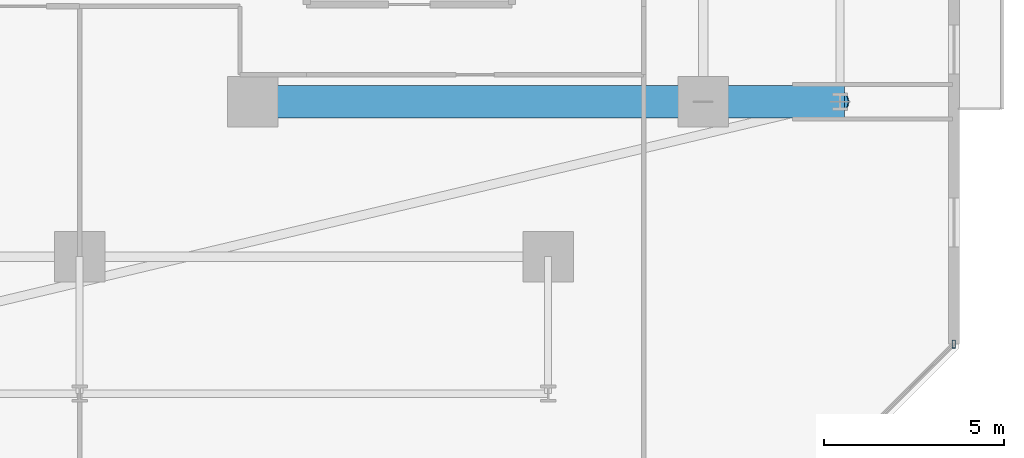
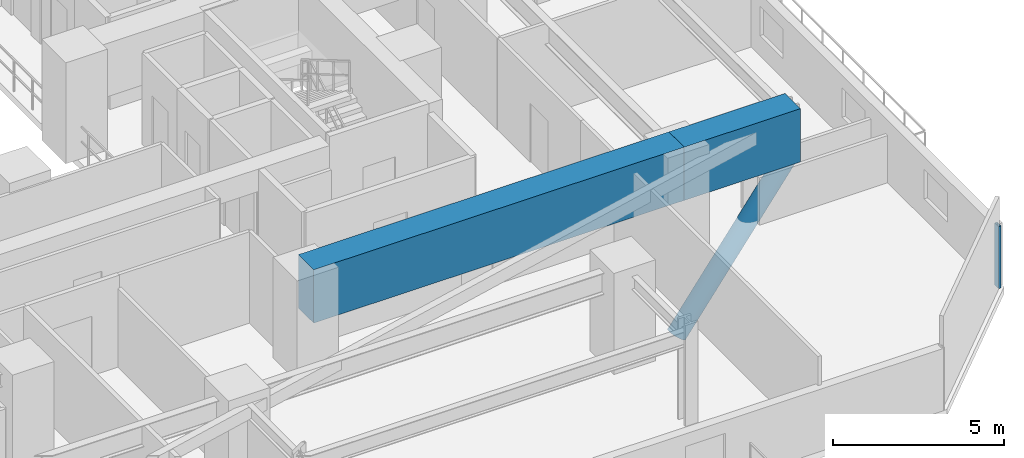
# One storey, part 13 of 36: 2 beams, 2 members, 1 element without a shape of its own.
"""IFC4 building model written with IfcOpenShell, lengths in metres."""

import ifcopenshell
import ifcopenshell.guid

model = None  # the IFC model being written
_history = None  # IfcOwnerHistory: only IFC2X3 demands one
_inside = {}  # id of a spatial element -> (the spatial element, [elements in it])
_under = {}  # id of a project, library or spatial element -> (it, [spatial elements below it])
_declared = {}  # id of a project -> (the project, [libraries it declares])
_typed = {}  # id of a type object -> (the type object, [elements of that type])
_made_of = {}  # id of a material, layer set ... -> (it, [elements and type objects made of it])


def new_model(schema):
    """Start an empty IFC model of exactly this schema.

    Asked for "IFC4X3", IfcOpenShell would pick the latest addendum, in which some entities
    have other attributes; the version numbers below select the first issue.
    IFC2X3 requires an IfcOwnerHistory on every rooted entity: one is made here for all.
    """
    global model, _history
    if schema == "IFC4X3":
        model = ifcopenshell.file(schema_version=(4, 3, 0, 0))
    else:
        model = ifcopenshell.file(schema=schema)
    _inside.clear()
    _under.clear()
    _declared.clear()
    _typed.clear()
    _made_of.clear()
    _history = None
    if model.schema == "IFC2X3":
        org = make("IfcOrganization", Name="unknown")
        user = make(
            "IfcPersonAndOrganization",
            ThePerson=make("IfcPerson", FamilyName="unknown"),
            TheOrganization=org,
        )
        app = make(
            "IfcApplication",
            ApplicationDeveloper=org,
            Version="unknown",
            ApplicationFullName="unknown",
            ApplicationIdentifier="unknown",
        )
        _history = make(
            "IfcOwnerHistory",
            OwningUser=user,
            OwningApplication=app,
            ChangeAction="ADDED",
            CreationDate=0,
        )
    return model


def make(cls, **values):
    """One entity of the class cls with the attributes given. An attribute that is None is left unset."""
    return model.create_entity(
        cls, **{name: value for name, value in values.items() if value is not None}
    )


def rooted(cls, **values):
    """An entity with a GlobalId (a new one), such as an element, a storey or a relation."""
    return make(cls, GlobalId=ifcopenshell.guid.new(), OwnerHistory=_history, **values)


def si_unit(unit_type, name, prefix=None):
    """IfcSIUnit, for example si_unit("LENGTHUNIT", "METRE", prefix="MILLI")."""
    return make("IfcSIUnit", UnitType=unit_type, Prefix=prefix, Name=name)


def assignment(units):
    """IfcUnitAssignment: the units of a project."""
    return None if units is None else make("IfcUnitAssignment", Units=units)


def point(xyz):
    """IfcCartesianPoint."""
    return None if xyz is None else make("IfcCartesianPoint", Coordinates=xyz)


def direction(xyz):
    """IfcDirection."""
    return None if xyz is None else make("IfcDirection", DirectionRatios=xyz)


def frame(location, z_axis=None, x_axis=None):
    """IfcAxis2Placement3D, a coordinate frame: its origin and axes. An axis left out is left unset."""
    return make(
        "IfcAxis2Placement3D",
        Location=point(location),
        Axis=direction(z_axis),
        RefDirection=direction(x_axis),
    )


def frame_2d(location, x_axis=None):
    """IfcAxis2Placement2D, a coordinate frame in the plane: its origin and x axis."""
    return make(
        "IfcAxis2Placement2D", Location=point(location), RefDirection=direction(x_axis)
    )


def origin():
    """The frame at (0, 0, 0) with its axes left unset."""
    return frame((0.0, 0.0, 0.0))


def origin_2d():
    """The frame at (0, 0) in the plane with its x axis left unset."""
    return frame_2d((0.0, 0.0))


def place(relative_to, where):
    """IfcLocalPlacement: puts the frame where relative to a parent placement (None: the world)."""
    return make(
        "IfcLocalPlacement", PlacementRelTo=relative_to, RelativePlacement=where
    )


def context(
    kind, dimensions, precision=None, world=None, true_north=None, identifier=None
):
    """IfcGeometricRepresentationContext, for example the 3D "Model" context."""
    return make(
        "IfcGeometricRepresentationContext",
        ContextIdentifier=identifier,
        ContextType=kind,
        CoordinateSpaceDimension=dimensions,
        Precision=precision,
        WorldCoordinateSystem=world,
        TrueNorth=true_north,
    )


def subcontext(parent, identifier, kind, view, scale=None):
    """IfcGeometricRepresentationSubContext, for example "Body" below "Model"."""
    return make(
        "IfcGeometricRepresentationSubContext",
        ContextIdentifier=identifier,
        ContextType=kind,
        ParentContext=parent,
        TargetScale=scale,
        TargetView=view,
    )


def project(units=None, contexts=None):
    """IfcProject with its units and contexts."""
    return rooted(
        "IfcProject",
        Name="project",
        RepresentationContexts=contexts,
        UnitsInContext=assignment(units),
    )


def spatial(cls, under=None, at=None, **own):
    """A site, building, storey or space (cls), placed at a placement, below another one or the project."""
    s = rooted(cls, ObjectPlacement=at, **own)
    if under is not None:
        _under.setdefault(under.id(), (under, []))[1].append(s)
    return s


def profile(cls, at=None, kind="AREA", **sizes):
    """A parametric profile (cls). Its sizes go by their IFC names, for example OverallWidth=200.0."""
    return make(cls, ProfileType=kind, Position=at, **sizes)


def rectangle(**sizes):
    """IfcRectangleProfileDef."""
    return profile("IfcRectangleProfileDef", **sizes)


def hollow_rectangle(**sizes):
    """IfcRectangleHollowProfileDef."""
    return profile("IfcRectangleHollowProfileDef", **sizes)


def hollow_circle(**sizes):
    """IfcCircleHollowProfileDef."""
    return profile("IfcCircleHollowProfileDef", **sizes)


def extrude(swept, where, along, depth):
    """IfcExtrudedAreaSolid: the profile swept, set in the frame where, extruded along a direction by depth."""
    return make(
        "IfcExtrudedAreaSolid",
        SweptArea=swept,
        Position=where,
        ExtrudedDirection=direction(along),
        Depth=depth,
    )


def shape(context_of_items, identifier, shape_type, items):
    """IfcShapeRepresentation: the items that make up one representation, for example the "Body"."""
    return make(
        "IfcShapeRepresentation",
        ContextOfItems=context_of_items,
        RepresentationIdentifier=identifier,
        RepresentationType=shape_type,
        Items=items,
    )


def material(Name=None, Category=None):
    """IfcMaterial."""
    return make("IfcMaterial", Name=Name, Category=Category)


def material_profile(
    of_material, cross_section, Name=None, Category=None, Priority=None
):
    """IfcMaterialProfile: a cross section and its material."""
    return make(
        "IfcMaterialProfile",
        Name=Name,
        Material=of_material,
        Profile=cross_section,
        Priority=Priority,
        Category=Category,
    )


def profile_set(profiles, Name=None, composite=None):
    """IfcMaterialProfileSet."""
    return make(
        "IfcMaterialProfileSet",
        Name=Name,
        MaterialProfiles=profiles,
        CompositeProfile=composite,
    )


def made_of(thing, what):
    """Note that an element or type object is made of a material, layer set ...; save() writes the relation."""
    if what is not None:
        _made_of.setdefault(what.id(), (what, []))[1].append(thing)
    return thing


def type_object(cls, material=None, **own):
    """A type object (cls), such as IfcWallType, which elements share."""
    return made_of(rooted(cls, **own), material)


def element(
    cls,
    number,
    at=None,
    inside=None,
    cuts=None,
    type_object=None,
    material=None,
    context=None,
    identifier="Body",
    shape_type=None,
    held_by="IfcProductDefinitionShape",
    body=None,
    shapes=None,
    **own,
):
    """One element of the class cls, such as IfcWall. Its Tag is "e" and its number.

    at: its placement. inside: the storey or other place that contains it. cuts: it is an
    opening in that element (IfcRelVoidsElement). A single representation is given by context,
    identifier, shape_type and body (its items); several are given by shapes. held_by: the class
    of the entity that holds the representations. save() writes the other relations.
    """
    e = rooted(cls, Tag="e%d" % number, ObjectPlacement=at, **own)
    if body is not None:
        shapes = [shape(context, identifier, shape_type, body)]
    if shapes is not None:
        e.Representation = make(held_by, Representations=shapes)
    if inside is not None:
        _inside.setdefault(inside.id(), (inside, []))[1].append(e)
    if cuts is not None:
        rooted(
            "IfcRelVoidsElement", RelatingBuildingElement=cuts, RelatedOpeningElement=e
        )
    if type_object is not None:
        _typed.setdefault(type_object.id(), (type_object, []))[1].append(e)
    return made_of(e, material)


def aggregate(whole, parts):
    """IfcRelAggregates: a whole, such as a stair, and the parts it consists of."""
    return rooted("IfcRelAggregates", RelatingObject=whole, RelatedObjects=parts)


def save(model, path):
    """Write the relations noted so far, then the file.

    IfcRelAggregates (storeys below a building ...), IfcRelContainedInSpatialStructure (elements
    in a storey), IfcRelDefinesByType, IfcRelAssociatesMaterial and IfcRelDeclares: one each for
    every whole, place, type object, material and project.
    """
    for whole, parts in _under.values():
        aggregate(whole, parts)
    for where, things in _inside.values():
        rooted(
            "IfcRelContainedInSpatialStructure",
            RelatedElements=things,
            RelatingStructure=where,
        )
    for kind, things in _typed.values():
        rooted("IfcRelDefinesByType", RelatedObjects=things, RelatingType=kind)
    for what, things in _made_of.values():
        rooted("IfcRelAssociatesMaterial", RelatedObjects=things, RelatingMaterial=what)
    for by, libraries in _declared.values():
        rooted("IfcRelDeclares", RelatingContext=by, RelatedDefinitions=libraries)
    model.write(path)


model = new_model("IFC4")

# Units and contexts
model_context = context("Model", 3, precision=1e-05, world=origin(), true_north=direction((0.0, 1.0)))
body_context = subcontext(model_context, "Body", "Model", "MODEL_VIEW")
ifc_project = project(units=[si_unit("LENGTHUNIT", "METRE"), si_unit("AREAUNIT", "SQUARE_METRE"), si_unit("VOLUMEUNIT", "CUBIC_METRE"), si_unit("PLANEANGLEUNIT", "RADIAN"), si_unit("MASSUNIT", "GRAM", prefix="KILO")], contexts=[model_context])

# Site, building, storey
site_placement = place(None, origin())
site = spatial("IfcSite", under=ifc_project, at=site_placement, CompositionType="ELEMENT")
building_placement = place(site_placement, origin())
building = spatial("IfcBuilding", under=site, at=building_placement, Name="Thornwick Lancets Civic Towers", CompositionType="ELEMENT")
storey_placement = place(building_placement, frame((0.0, 0.0, 45.89990234375)))
storey = spatial("IfcBuildingStorey", under=building, at=storey_placement, Name="L11", CompositionType="ELEMENT", Elevation=45.89990234375)

# Beams
ifc_material_1 = material(Name="Concrete C60/75", Category="concrete")
ifc_material_profile_1 = material_profile(ifc_material_1, rectangle(XDim=0.89990234375, YDim=1.89990234375, at=origin_2d()), Name="RC 900x1900")
ifc_profile_set_1 = profile_set([ifc_material_profile_1], Name="Concrete C60/75")
beam_type = type_object("IfcBeamType", Name="BM_TR_RC1900", PredefinedType="BEAM", material=ifc_profile_set_1)
beam_1_placement = place(storey_placement, frame((93.300048828125, 14.0, 2.650146484375), z_axis=(1.0, 0.0, 0.0), x_axis=(0.0, 1.0, 0.0)))
element("IfcBeam", 1, at=beam_1_placement, inside=storey, type_object=beam_type, Name="TG-BACK-L12-B01", PredefinedType="BEAM", context=body_context, shape_type="SweptSolid", body=[
    extrude(rectangle(XDim=0.89990234375, YDim=1.89990234375, at=origin_2d()), origin(), (0.0, 0.0, 1.0), 12.5),
])
beam_2_placement = place(storey_placement, frame((105.800048828125, 14.0, 2.650146484375), z_axis=(1.0, 0.0, 0.0), x_axis=(0.0, 1.0, 0.0)))
element("IfcBeam", 2, at=beam_2_placement, inside=storey, type_object=beam_type, Name="TG-CANT-L12-B01", PredefinedType="BEAM", context=body_context, shape_type="SweptSolid", body=[
    extrude(rectangle(XDim=0.89990234375, YDim=1.89990234375, at=origin_2d()), origin(), (0.0, 0.0, 1.0), 3.919921875),
])

# Curtain wall, member
ifc_material_2 = material(Name="Low-zone chamfered-corner unitised glass curtain wall", Category="glass")
curtain_wall_type = type_object("IfcCurtainWallType", Name="CW_SYS_03", PredefinedType="NOTDEFINED", material=ifc_material_2)
curtain_wall_placement = place(storey_placement, origin())
curtain_wall = element("IfcCurtainWall", 3, at=curtain_wall_placement, inside=storey, type_object=curtain_wall_type, Name="L11 Curtain Wall CW-L11-B-E1", PredefinedType="NOTDEFINED")
ifc_material_3 = material(Name="Thermally broken bronze aluminium S355", Category="steel")
ifc_material_profile_2 = material_profile(ifc_material_3, hollow_rectangle(XDim=0.090087890625, YDim=0.219970703125, WallThickness=0.00634765625, at=origin_2d()), Name="RHS 220x90x6.3")
ifc_profile_set_2 = profile_set([ifc_material_profile_2], Name="Thermally broken bronze aluminium S355")
member_type_1 = type_object("IfcMemberType", Name="CW_MUL_220", PredefinedType="MULLION", material=ifc_profile_set_2)
member_1_placement = place(storey_placement, frame((112.758544921875, 7.275390625, 0.0), z_axis=(0.0, 0.0, 1.0), x_axis=(1.0, 0.0, 0.0)))
member_1 = element("IfcMember", 4, at=member_1_placement, type_object=member_type_1, Name="CW-L11-B-E1 Mullion 1", PredefinedType="MULLION", context=body_context, shape_type="SweptSolid", body=[
    extrude(hollow_rectangle(XDim=0.090087890625, YDim=0.219970703125, WallThickness=0.00634765625, at=origin_2d()), origin(), (0.0, 0.0, 1.0), 2.22021484375),
])
aggregate(curtain_wall, [member_1])

# Member
ifc_material_4 = material(Name="Steel S460M", Category="steel")
ifc_material_profile_3 = material_profile(ifc_material_4, hollow_circle(Radius=0.304931640625, WallThickness=0.030029296875, at=origin_2d()), Name="CHS 610x30")
ifc_profile_set_3 = profile_set([ifc_material_profile_3], Name="Steel S460M")
member_type_2 = type_object("IfcMemberType", Name="MEM_STRUT_CHS610", PredefinedType="STRUT", material=ifc_profile_set_3)
member_2_placement = place(storey_placement, frame((105.800048828125, 14.0, -3.349853515625), z_axis=(0.595241268987, 0.0, 0.803547031414), x_axis=(0.0, 1.0, 0.0)))
element("IfcMember", 5, at=member_2_placement, inside=storey, type_object=member_type_2, Name="L12 Jenga Transfer Raking Strut B01", PredefinedType="STRUT", context=body_context, shape_type="SweptSolid", body=[
    extrude(hollow_circle(Radius=0.304931640625, WallThickness=0.030029296875, at=origin_2d()), origin(), (0.0, 0.0, 1.0), 6.384033203125),
])

save(model, "model.ifc")
